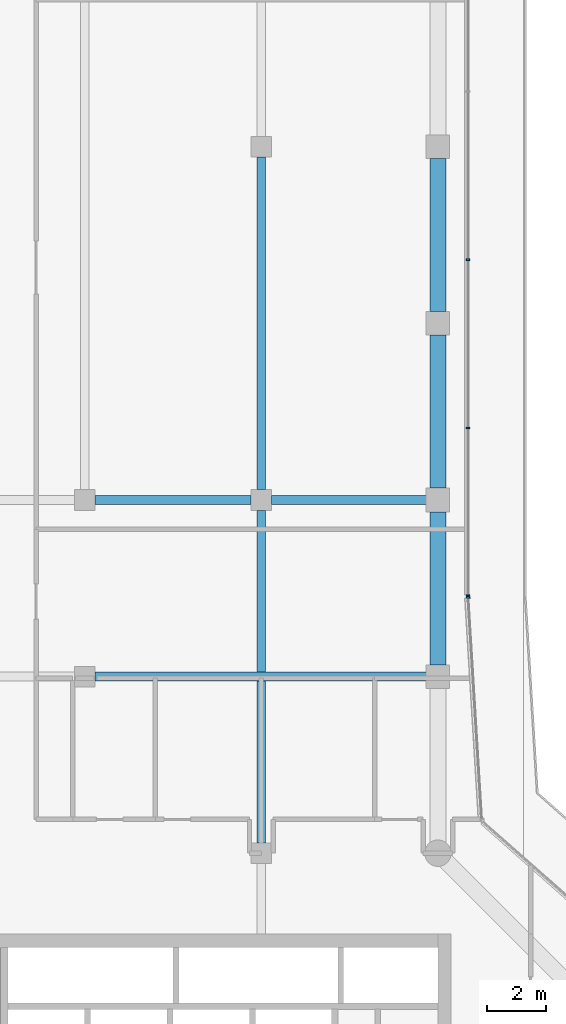
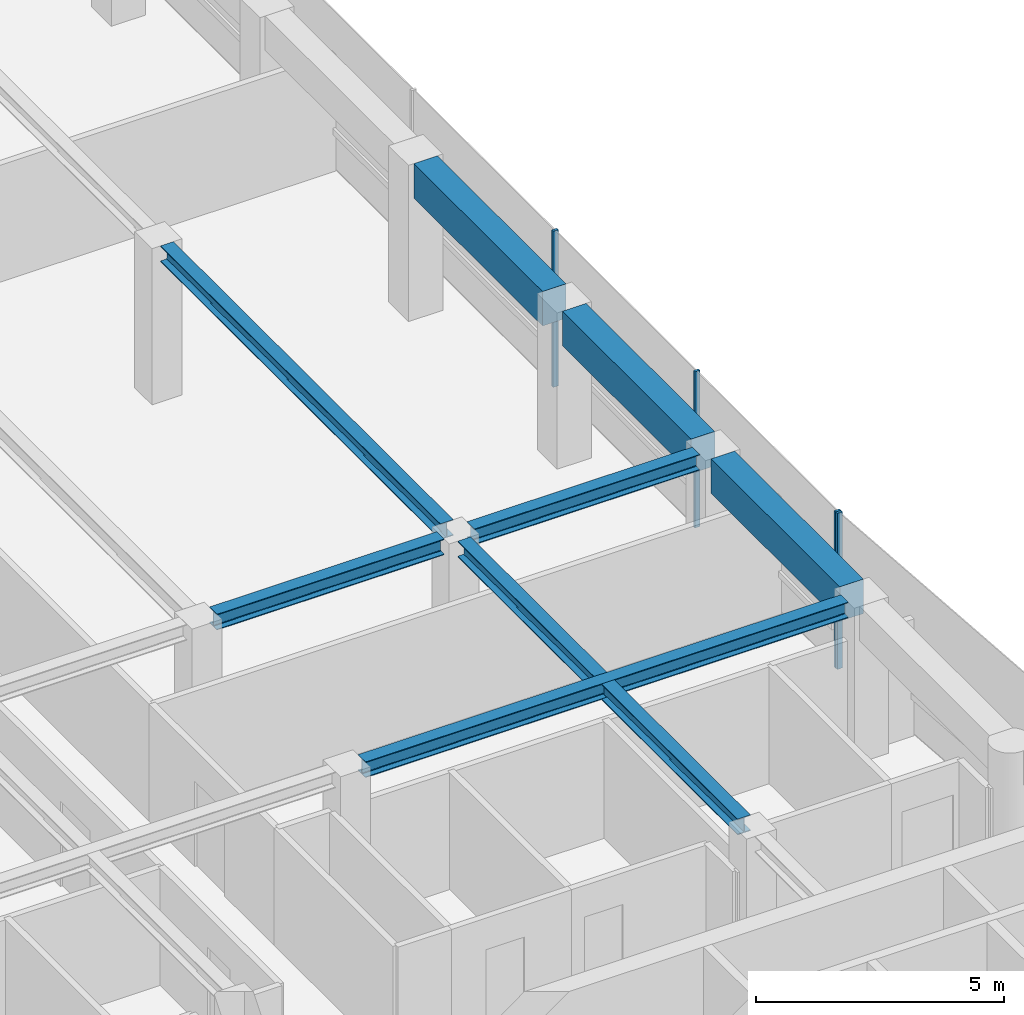
# One storey, part 9 of 21: 8 beams, 4 members, 2 elements without a shape of their own.
"""IFC4 building model written with IfcOpenShell, lengths in metres."""

from ifc_helpers import new_model, si_unit, direction, frame, origin, origin_2d, place, context, subcontext, project, spatial, rectangle, i_section, extrude, material, layer, layer_set, material_profile, profile_set, type_object, element, aggregate, save


model = new_model("IFC4")

# Units and contexts
model_context = context("Model", 3, precision=1e-05, world=origin(), true_north=direction((0.0, 1.0)))
body_context = subcontext(model_context, "Body", "Model", "MODEL_VIEW")
ifc_project = project(units=[si_unit("LENGTHUNIT", "METRE"), si_unit("AREAUNIT", "SQUARE_METRE"), si_unit("VOLUMEUNIT", "CUBIC_METRE"), si_unit("PLANEANGLEUNIT", "RADIAN"), si_unit("MASSUNIT", "GRAM", prefix="KILO")], contexts=[model_context])

# Site, building, storey
site_placement = place(None, origin())
site = spatial("IfcSite", under=ifc_project, at=site_placement, CompositionType="ELEMENT")
building_placement = place(site_placement, origin())
building = spatial("IfcBuilding", under=site, at=building_placement, Name="Welwitschia Terrace Campus", CompositionType="ELEMENT")
storey_placement = place(building_placement, frame((0.0, 0.0, 213.800048828125)))
storey = spatial("IfcBuildingStorey", under=building, at=storey_placement, Name="L47", CompositionType="ELEMENT", Elevation=213.800048828125)

# Beams
ifc_material_1 = material(Name="Steel S355", Category="steel")
ifc_material_profile_1 = material_profile(ifc_material_1, i_section(OverallWidth=0.300048828125, OverallDepth=0.389892578125, WebThickness=0.010986328125, FlangeThickness=0.01904296875, FilletRadius=0.027099609375, at=origin_2d()))
ifc_profile_set_1 = profile_set([ifc_material_profile_1], Name="Steel S355")
beam_type_1 = type_object("IfcBeamType", Name="Interior girder HE 400 A", PredefinedType="BEAM", material=ifc_profile_set_1)
beam_1_placement = place(storey_placement, frame((12.3505859375, 34.0, 3.655029296875), z_axis=(1.0, 0.0, 0.0), x_axis=(0.0, 1.0, 0.0)))
element("IfcBeam", 1, at=beam_1_placement, inside=storey, type_object=beam_type_1, Name="Girder GB5", PredefinedType="BEAM", context=body_context, shape_type="SweptSolid", body=[
    extrude(i_section(OverallWidth=0.300048828125, OverallDepth=0.389892578125, WebThickness=0.010986328125, FlangeThickness=0.01904296875, FilletRadius=0.027099609375, at=origin_2d()), origin(), (0.0, 0.0, 1.0), 11.259033203125),
])
beam_2_placement = place(storey_placement, frame((12.3505859375, 40.0, 3.655029296875), z_axis=(1.0, 0.0, 0.0), x_axis=(0.0, 1.0, 0.0)))
element("IfcBeam", 2, at=beam_2_placement, inside=storey, type_object=beam_type_1, Name="Girder GB5", PredefinedType="BEAM", context=body_context, shape_type="SweptSolid", body=[
    extrude(i_section(OverallWidth=0.300048828125, OverallDepth=0.389892578125, WebThickness=0.010986328125, FlangeThickness=0.01904296875, FilletRadius=0.027099609375, at=origin_2d()), origin(), (0.0, 0.0, 1.0), 5.298828125),
])
beam_3_placement = place(storey_placement, frame((18.3505859375, 40.0, 3.655029296875), z_axis=(1.0, 0.0, 0.0), x_axis=(0.0, 1.0, 0.0)))
element("IfcBeam", 3, at=beam_3_placement, inside=storey, type_object=beam_type_1, Name="Girder GB5", PredefinedType="BEAM", context=body_context, shape_type="SweptSolid", body=[
    extrude(i_section(OverallWidth=0.300048828125, OverallDepth=0.389892578125, WebThickness=0.010986328125, FlangeThickness=0.01904296875, FilletRadius=0.027099609375, at=origin_2d()), origin(), (0.0, 0.0, 1.0), 5.259033203125),
])
for number, where, z_axis, x_axis, name in (
    (4, (18.0, 28.3505859375, 3.655029296875), (0.0, 1.0, 0.0), (-1.0, 0.0, 0.0), "Girder GB5"),
    (5, (18.0, 40.3505859375, 3.655029296875), (0.0, 1.0, 0.0), (-1.0, 0.0, 0.0), "Girder GB5"),
):
    element("IfcBeam", number, at=place(storey_placement, frame(where, z_axis=z_axis, x_axis=x_axis)), inside=storey, type_object=beam_type_1, Name=name, PredefinedType="BEAM", context=body_context, shape_type="SweptSolid", body=[
        extrude(i_section(OverallWidth=0.300048828125, OverallDepth=0.389892578125, WebThickness=0.010986328125, FlangeThickness=0.01904296875, FilletRadius=0.027099609375, at=origin_2d()), origin(), (0.0, 0.0, 1.0), 11.298828125),
    ])

# Curtain wall, member
ifc_material_2 = material(Name="Bronze anodised aluminium", Category="aluminium")
ifc_layer = layer(ifc_material_2, 0.1201171875)
ifc_layer_set = layer_set([ifc_layer], Name="Bronze anodised aluminium")
curtain_wall_type = type_object("IfcCurtainWallType", Name="Curtain wall CW2 tower 6000", PredefinedType="NOTDEFINED", material=ifc_layer_set)
curtain_wall_1_placement = place(storey_placement, origin())
curtain_wall_1 = element("IfcCurtainWall", 6, at=curtain_wall_1_placement, inside=storey, type_object=curtain_wall_type, Name="CW L47.5.0", PredefinedType="NOTDEFINED")
ifc_material_3 = material(Name="Bronze anodised aluminium", Category="aluminium")
ifc_material_profile_2 = material_profile(ifc_material_3, rectangle(XDim=0.1201171875, YDim=0.06005859375, at=origin_2d()))
ifc_profile_set_2 = profile_set([ifc_material_profile_2], Name="Bronze anodised aluminium")
member_type = type_object("IfcMemberType", Name="Mullion 60x120", PredefinedType="MULLION", material=ifc_profile_set_2)
member_1_placement = place(storey_placement, frame((25.03173828125, 36.696044921875, 0.0), z_axis=(0.0, 0.0, 1.0), x_axis=(-0.998134798422, -0.061048539535, 0.0)))
member_1 = element("IfcMember", 7, at=member_1_placement, type_object=member_type, Name="Mullion L47.5.0.1", PredefinedType="MULLION", context=body_context, shape_type="SweptSolid", body=[
    extrude(rectangle(XDim=0.1201171875, YDim=0.06005859375, at=origin_2d()), origin(), (0.0, 0.0, 1.0), 3.849853515625),
])
aggregate(curtain_wall_1, [member_1])

# Curtain wall, members
curtain_wall_2_placement = place(storey_placement, origin())
curtain_wall_2 = element("IfcCurtainWall", 8, at=curtain_wall_2_placement, inside=storey, type_object=curtain_wall_type, Name="CW L47.6.0", PredefinedType="NOTDEFINED")
member_2_placement = place(storey_placement, frame((25.030029296875, 36.755859375, 0.0), z_axis=(0.0, 0.0, 1.0), x_axis=(-1.0, 0.0, 0.0)))
member_2 = element("IfcMember", 9, at=member_2_placement, type_object=member_type, Name="Mullion L47.6.0.0", PredefinedType="MULLION", context=body_context, shape_type="SweptSolid", body=[
    extrude(rectangle(XDim=0.1201171875, YDim=0.06005859375, at=origin_2d()), origin(), (0.0, 0.0, 1.0), 3.849853515625),
])
member_3_placement = place(storey_placement, frame((25.030029296875, 42.443359375, 0.0), z_axis=(0.0, 0.0, 1.0), x_axis=(-1.0, 0.0, 0.0)))
member_3 = element("IfcMember", 10, at=member_3_placement, type_object=member_type, Name="Mullion L47.6.0.1", PredefinedType="MULLION", context=body_context, shape_type="SweptSolid", body=[
    extrude(rectangle(XDim=0.1201171875, YDim=0.06005859375, at=origin_2d()), origin(), (0.0, 0.0, 1.0), 3.849853515625),
])
member_4_placement = place(storey_placement, frame((25.030029296875, 48.16064453125, 0.0), z_axis=(0.0, 0.0, 1.0), x_axis=(-1.0, 0.0, 0.0)))
member_4 = element("IfcMember", 11, at=member_4_placement, type_object=member_type, Name="Mullion L47.6.0.2", PredefinedType="MULLION", context=body_context, shape_type="SweptSolid", body=[
    extrude(rectangle(XDim=0.1201171875, YDim=0.06005859375, at=origin_2d()), origin(), (0.0, 0.0, 1.0), 3.849853515625),
])
aggregate(curtain_wall_2, [member_2, member_3, member_4])

# Beams
ifc_material_4 = material(Name="Concrete C50/60", Category="concrete")
ifc_material_profile_3 = material_profile(ifc_material_4, rectangle(XDim=0.550048828125, YDim=0.85009765625, at=origin_2d()))
ifc_profile_set_3 = profile_set([ifc_material_profile_3], Name="Concrete C50/60")
beam_type_2 = type_object("IfcBeamType", Name="Ring spandrel 550x850", PredefinedType="SPANDREL", material=ifc_profile_set_3)
for number, where, z_axis, x_axis, name in (
    (12, (24.0, 34.400390625, 3.425048828125), (0.0, 1.0, 0.0), (-1.0, 0.0, 0.0), "Spandrel SP3"),
    (13, (24.0, 40.400390625, 3.425048828125), (0.0, 1.0, 0.0), (-1.0, 0.0, 0.0), "Spandrel SP3"),
    (14, (24.0, 46.400390625, 3.425048828125), (0.0, 1.0, 0.0), (-1.0, 0.0, 0.0), "Spandrel SP3"),
):
    element("IfcBeam", number, at=place(storey_placement, frame(where, z_axis=z_axis, x_axis=x_axis)), inside=storey, type_object=beam_type_2, Name=name, PredefinedType="SPANDREL", context=body_context, shape_type="SweptSolid", body=[
        extrude(rectangle(XDim=0.550048828125, YDim=0.85009765625, at=origin_2d()), origin(), (0.0, 0.0, 1.0), 5.19921875),
    ])

save(model, "model.ifc")
